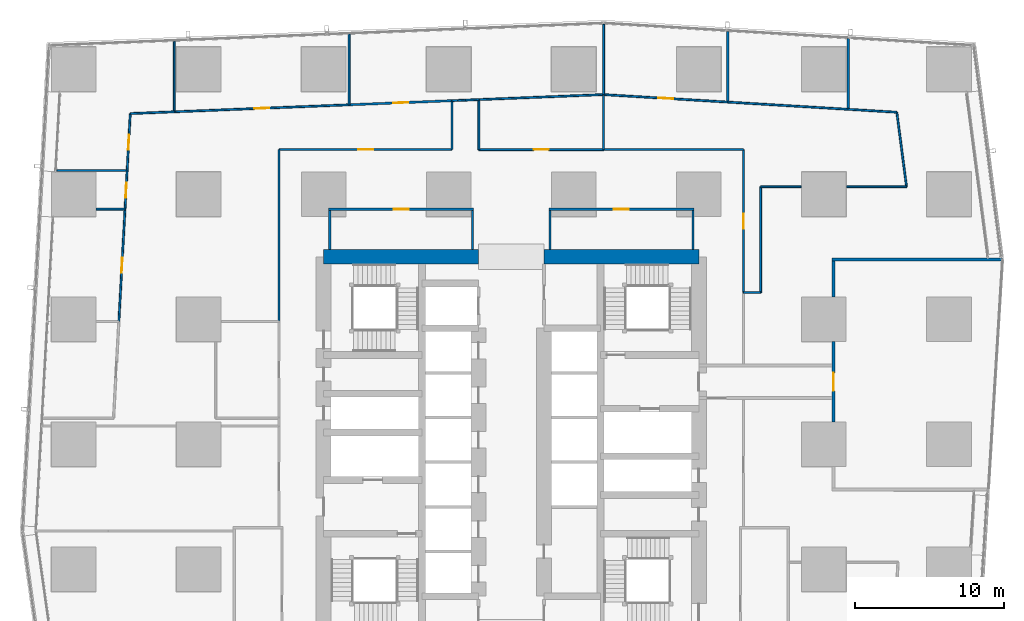
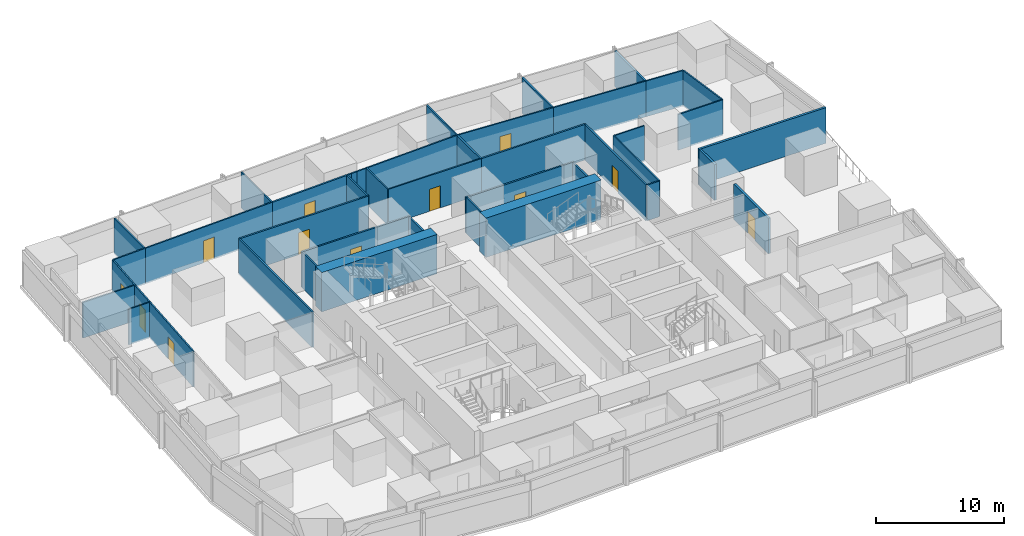
# One storey, part 29 of 38: 44 walls, 12 doors, 12 openings.
"""IFC4 building model written with IfcOpenShell, lengths in metres."""

from ifc_helpers import new_model, si_unit, direction, frame, frame_2d, origin, place, context, subcontext, project, spatial, rectangle, extrude, material, layer, layer_set, type_object, element, fill, save


model = new_model("IFC4")

# Units and contexts
model_context = context("Model", 3, precision=1e-05, world=origin(), true_north=direction((0.0, 1.0)))
body_context = subcontext(model_context, "Body", "Model", "MODEL_VIEW")
ifc_project = project(units=[si_unit("LENGTHUNIT", "METRE"), si_unit("AREAUNIT", "SQUARE_METRE"), si_unit("VOLUMEUNIT", "CUBIC_METRE"), si_unit("PLANEANGLEUNIT", "RADIAN"), si_unit("MASSUNIT", "GRAM", prefix="KILO")], contexts=[model_context])

# Site, building, storey
site_placement = place(None, origin())
site = spatial("IfcSite", under=ifc_project, at=site_placement, CompositionType="ELEMENT")
building_placement = place(site_placement, origin())
building = spatial("IfcBuilding", under=site, at=building_placement, Name="Rekha Terrace Tower", CompositionType="ELEMENT")
storey_placement = place(building_placement, frame((0.0, 0.0, 159.050048828125)))
storey = spatial("IfcBuildingStorey", under=building, at=storey_placement, Name="L40", CompositionType="ELEMENT", Elevation=159.050048828125)

# Walls
ifc_material_1 = material(Name="Concrete M70", Category="concrete")
ifc_layer_1 = layer(ifc_material_1, 1.0)
ifc_layer_set_1 = layer_set([ifc_layer_1], Name="Concrete M70")
wall_type_1 = type_object("IfcWallType", Name="SW2 1000 core outer shear wall", PredefinedType="SHEAR", material=ifc_layer_set_1)
wall_1_placement = place(storey_placement, frame((25.199951171875, 46.199951171875, 0.0), z_axis=(0.0, 0.0, 1.0), x_axis=(1.0, 0.0, 0.0)))
element("IfcWall", 1, at=wall_1_placement, inside=storey, type_object=wall_type_1, Name="Core wall N1 L40", PredefinedType="SHEAR", context=body_context, shape_type="SweptSolid", body=[
    extrude(rectangle(XDim=10.400146484375, YDim=1.0, at=frame_2d((5.2001953125, 0.0))), origin(), (0.0, 0.0, 1.0), 3.75),
])
wall_2_placement = place(storey_placement, frame((40.0, 46.199951171875, 0.0), z_axis=(0.0, 0.0, 1.0), x_axis=(1.0, 0.0, 0.0)))
element("IfcWall", 2, at=wall_2_placement, inside=storey, type_object=wall_type_1, Name="Core wall N2 L40", PredefinedType="SHEAR", context=body_context, shape_type="SweptSolid", body=[
    extrude(rectangle(XDim=10.39990234375, YDim=1.0, at=frame_2d((5.199951171875, 0.0))), origin(), (0.0, 0.0, 1.0), 3.75),
])

# Wall, opening, door
ifc_material_2 = material(Name="Concrete block masonry, 1 hour", Category="masonry")
ifc_layer_2 = layer(ifc_material_2, 0.14990234375)
ifc_layer_set_2 = layer_set([ifc_layer_2], Name="Concrete block masonry, 1 hour")
wall_type_2 = type_object("IfcWallType", Name="WP2 150 tenancy partition", PredefinedType="PARTITIONING", material=ifc_layer_set_2)
wall_3_placement = place(storey_placement, frame((40.324951171875, 49.39990234375, 0.0), z_axis=(0.0, 0.0, 1.0), x_axis=(1.0, 0.0, 0.0)))
wall_3 = element("IfcWall", 3, at=wall_3_placement, inside=storey, type_object=wall_type_2, Name="Women's WC wall L40", PredefinedType="PARTITIONING", context=body_context, shape_type="SweptSolid", body=[
    extrude(rectangle(XDim=9.75, YDim=0.14990234375, at=frame_2d((4.875, 0.0))), origin(), (0.0, 0.0, 1.0), 3.39990234375),
])
opening_1_placement = place(wall_3_placement, frame((4.375, 0.0, 0.0)))
opening_1 = element("IfcOpeningElement", 4, at=opening_1_placement, cuts=wall_3, Name="Opening D3", PredefinedType="OPENING", context=body_context, shape_type="SweptSolid", body=[
    extrude(rectangle(XDim=1.0, YDim=2.10009765625, at=frame_2d((0.5, 1.050048828125))), frame((0.0, 0.0849609375, 0.0), z_axis=(0.0, -1.0, 0.0), x_axis=(1.0, 0.0, 0.0)), (0.0, 0.0, 1.0), 0.169921875),
])
ifc_material_3 = material(Name="Laminated timber fire door", Category="wood")
door_type_1 = type_object("IfcDoorType", Name="D3 1000x2100 WC door", OperationType="SINGLE_SWING_LEFT", PredefinedType="DOOR", material=ifc_material_3)
door_1_placement = place(opening_1_placement, origin())
door_1 = element("IfcDoor", 5, at=door_1_placement, inside=storey, type_object=door_type_1, Name="Door women's wc L40", OperationType="SINGLE_SWING_LEFT", OverallHeight=2.10009765625, OverallWidth=1.0, PredefinedType="DOOR", context=body_context, shape_type="SweptSolid", body=[
    extrude(rectangle(XDim=1.0, YDim=2.10009765625, at=frame_2d((0.5, 1.050048828125))), frame((0.0, 0.02490234375, 0.0), z_axis=(0.0, -1.0, 0.0), x_axis=(1.0, 0.0, 0.0)), (0.0, 0.0, 1.0), 0.050048828125),
])
fill(opening_1, door_1)

# Walls
for number, where, z_axis, x_axis, name in (
    (6, (40.39990234375, 46.699951171875, 0.0), (0.0, 0.0, 1.0), (0.0, 1.0, 0.0), "Women's WC wall L40"),
    (7, (50.0, 46.699951171875, 0.0), (0.0, 0.0, 1.0), (0.0, 1.0, 0.0), "Women's WC wall L40"),
):
    element("IfcWall", number, at=place(storey_placement, frame(where, z_axis=z_axis, x_axis=x_axis)), inside=storey, type_object=wall_type_2, Name=name, PredefinedType="PARTITIONING", context=body_context, shape_type="SweptSolid", body=[
        extrude(rectangle(XDim=2.625, YDim=0.14990234375, at=frame_2d((1.3125, 0.0))), origin(), (0.0, 0.0, 1.0), 3.39990234375),
    ])

# Wall, opening, door
wall_4_placement = place(storey_placement, frame((25.52490234375, 49.39990234375, 0.0), z_axis=(0.0, 0.0, 1.0), x_axis=(1.0, 0.0, 0.0)))
wall_4 = element("IfcWall", 8, at=wall_4_placement, inside=storey, type_object=wall_type_2, Name="Women's WC wall L40", PredefinedType="PARTITIONING", context=body_context, shape_type="SweptSolid", body=[
    extrude(rectangle(XDim=9.75, YDim=0.14990234375, at=frame_2d((4.875, 0.0))), origin(), (0.0, 0.0, 1.0), 3.39990234375),
])
opening_2_placement = place(wall_4_placement, frame((4.375, 0.0, 0.0)))
opening_2 = element("IfcOpeningElement", 9, at=opening_2_placement, cuts=wall_4, Name="Opening D3", PredefinedType="OPENING", context=body_context, shape_type="SweptSolid", body=[
    extrude(rectangle(XDim=1.0, YDim=2.10009765625, at=frame_2d((0.5, 1.050048828125))), frame((0.0, 0.0849609375, 0.0), z_axis=(0.0, -1.0, 0.0), x_axis=(1.0, 0.0, 0.0)), (0.0, 0.0, 1.0), 0.169921875),
])
door_2_placement = place(opening_2_placement, origin())
door_2 = element("IfcDoor", 10, at=door_2_placement, inside=storey, type_object=door_type_1, Name="Door women's wc L40", OperationType="SINGLE_SWING_LEFT", OverallHeight=2.10009765625, OverallWidth=1.0, PredefinedType="DOOR", context=body_context, shape_type="SweptSolid", body=[
    extrude(rectangle(XDim=1.0, YDim=2.10009765625, at=frame_2d((0.5, 1.050048828125))), frame((0.0, 0.02490234375, 0.0), z_axis=(0.0, -1.0, 0.0), x_axis=(1.0, 0.0, 0.0)), (0.0, 0.0, 1.0), 0.050048828125),
])
fill(opening_2, door_2)

# Walls
for number, where, z_axis, x_axis, name in (
    (11, (25.60009765625, 46.699951171875, 0.0), (0.0, 0.0, 1.0), (0.0, 1.0, 0.0), "Women's WC wall L40"),
    (12, (35.199951171875, 46.699951171875, 0.0), (0.0, 0.0, 1.0), (0.0, 1.0, 0.0), "Women's WC wall L40"),
):
    element("IfcWall", number, at=place(storey_placement, frame(where, z_axis=z_axis, x_axis=x_axis)), inside=storey, type_object=wall_type_2, Name=name, PredefinedType="PARTITIONING", context=body_context, shape_type="SweptSolid", body=[
        extrude(rectangle(XDim=2.625, YDim=0.14990234375, at=frame_2d((1.3125, 0.0))), origin(), (0.0, 0.0, 1.0), 3.39990234375),
    ])
wall_5_placement = place(storey_placement, frame((52.34912109375, 56.655029296875, 0.0), z_axis=(0.0, 0.0, 1.0), x_axis=(0.0, 1.0, 0.0)))
element("IfcWall", 13, at=wall_5_placement, inside=storey, type_object=wall_type_2, Name="Partition L40-O1", PredefinedType="PARTITIONING", context=body_context, shape_type="SweptSolid", body=[
    extrude(rectangle(XDim=4.6650390625, YDim=0.14990234375, at=frame_2d((2.33251953125, 0.0))), origin(), (0.0, 0.0, 1.0), 3.39990234375),
])
wall_6_placement = place(storey_placement, frame((60.43408203125, 56.1689453125, 0.0), z_axis=(0.0, 0.0, 1.0), x_axis=(0.0, 1.0, 0.0)))
element("IfcWall", 14, at=wall_6_placement, inside=storey, type_object=wall_type_2, Name="Partition L40-O1", PredefinedType="PARTITIONING", context=body_context, shape_type="SweptSolid", body=[
    extrude(rectangle(XDim=4.695068359375, YDim=0.14990234375, at=frame_2d((2.34765625, 0.0))), origin(), (0.0, 0.0, 1.0), 3.39990234375),
])

# Wall, opening, door
wall_7_placement = place(storey_placement, frame((53.39990234375, 43.801025390625, 0.0), z_axis=(0.0, 0.0, 1.0), x_axis=(0.0, 1.0, 0.0)))
wall_7 = element("IfcWall", 15, at=wall_7_placement, inside=storey, type_object=wall_type_2, Name="Partition L40-O1", PredefinedType="PARTITIONING", context=body_context, shape_type="SweptSolid", body=[
    extrude(rectangle(XDim=9.598876953125, YDim=0.14990234375, at=frame_2d((4.79931640625, 0.0))), origin(), (0.0, 0.0, 1.0), 3.39990234375),
])
opening_3_placement = place(wall_7_placement, frame((4.299072265625, 0.0, 0.0)))
opening_3 = element("IfcOpeningElement", 16, at=opening_3_placement, cuts=wall_7, Name="Opening D9", PredefinedType="OPENING", context=body_context, shape_type="SweptSolid", body=[
    extrude(rectangle(XDim=1.0, YDim=2.10009765625, at=frame_2d((0.5, 1.050048828125))), frame((0.0, 0.0849609375, 0.0), z_axis=(0.0, -1.0, 0.0), x_axis=(1.0, 0.0, 0.0)), (0.0, 0.0, 1.0), 0.169921875),
])
ifc_material_4 = material(Name="Timber fire door", Category="wood")
door_type_2 = type_object("IfcDoorType", Name="D9 1000x2100 office door", OperationType="SINGLE_SWING_LEFT", PredefinedType="DOOR", material=ifc_material_4)
door_3_placement = place(opening_3_placement, origin())
door_3 = element("IfcDoor", 17, at=door_3_placement, inside=storey, type_object=door_type_2, Name="Door open-plan office L40", OperationType="SINGLE_SWING_LEFT", OverallHeight=2.10009765625, OverallWidth=1.0, PredefinedType="DOOR", context=body_context, shape_type="SweptSolid", body=[
    extrude(rectangle(XDim=1.0, YDim=2.10009765625, at=frame_2d((0.5, 1.050048828125))), frame((0.0, 0.02490234375, 0.0), z_axis=(0.0, -1.0, 0.0), x_axis=(1.0, 0.0, 0.0)), (0.0, 0.0, 1.0), 0.050048828125),
])
fill(opening_3, door_3)

# Walls
wall_8_placement = place(storey_placement, frame((53.39990234375, 53.39990234375, 0.0), z_axis=(0.0, 0.0, 1.0), x_axis=(-1.0, 0.0, 0.0)))
element("IfcWall", 18, at=wall_8_placement, inside=storey, type_object=wall_type_2, Name="Partition L40-O1", PredefinedType="PARTITIONING", context=body_context, shape_type="SweptSolid", body=[
    extrude(rectangle(XDim=9.39697265625, YDim=0.14990234375, at=frame_2d((4.698486328125, 0.0))), origin(), (0.0, 0.0, 1.0), 3.39990234375),
])
wall_9_placement = place(storey_placement, frame((44.0029296875, 53.39990234375, 0.0), z_axis=(0.0, 0.0, 1.0), x_axis=(0.0, 1.0, 0.0)))
element("IfcWall", 19, at=wall_9_placement, inside=storey, type_object=wall_type_2, Name="Partition L40-O1", PredefinedType="PARTITIONING", context=body_context, shape_type="SweptSolid", body=[
    extrude(rectangle(XDim=3.630126953125, YDim=0.14990234375, at=frame_2d((1.81494140625, 0.0))), origin(), (0.0, 0.0, 1.0), 3.39990234375),
])

# Wall, opening, door
wall_10_placement = place(storey_placement, frame((26.906982421875, 56.409912109375, 0.0), z_axis=(0.0, 0.0, 1.0), x_axis=(0.999198986238, 0.04001732002, 0.0)))
wall_10 = element("IfcWall", 20, at=wall_10_placement, inside=storey, type_object=wall_type_2, Name="Partition L40-O2", PredefinedType="PARTITIONING", context=body_context, shape_type="SweptSolid", body=[
    extrude(rectangle(XDim=6.924560546875, YDim=0.14990234375, at=frame_2d((3.46240234375, 0.0))), origin(), (0.0, 0.0, 1.0), 3.39990234375),
])
opening_4_placement = place(wall_10_placement, frame((2.9619140625, 0.0, 0.0)))
opening_4 = element("IfcOpeningElement", 21, at=opening_4_placement, cuts=wall_10, Name="Opening D9", PredefinedType="OPENING", context=body_context, shape_type="SweptSolid", body=[
    extrude(rectangle(XDim=1.0, YDim=2.10009765625, at=frame_2d((0.5, 1.050048828125))), frame((0.0, 0.0849609375, 0.0), z_axis=(0.0, -1.0, 0.0), x_axis=(1.0, 0.0, 0.0)), (0.0, 0.0, 1.0), 0.169921875),
])
door_4_placement = place(opening_4_placement, origin())
door_4 = element("IfcDoor", 22, at=door_4_placement, inside=storey, type_object=door_type_2, Name="Door office L40", OperationType="SINGLE_SWING_LEFT", OverallHeight=2.10009765625, OverallWidth=1.0, PredefinedType="DOOR", context=body_context, shape_type="SweptSolid", body=[
    extrude(rectangle(XDim=1.0, YDim=2.10009765625, at=frame_2d((0.5, 1.050048828125))), frame((0.0, 0.02490234375, 0.0), z_axis=(0.0, -1.0, 0.0), x_axis=(1.0, 0.0, 0.0)), (0.0, 0.0, 1.0), 0.050048828125),
])
fill(opening_4, door_4)

# Wall
wall_11_placement = place(storey_placement, frame((33.825927734375, 56.68701171875, 0.0), z_axis=(0.0, 0.0, 1.0), x_axis=(0.0, -1.0, 0.0)))
element("IfcWall", 23, at=wall_11_placement, inside=storey, type_object=wall_type_2, Name="Partition L40-O2", PredefinedType="PARTITIONING", context=body_context, shape_type="SweptSolid", body=[
    extrude(rectangle(XDim=3.287109375, YDim=0.14990234375, at=frame_2d((1.6435546875, 0.0))), origin(), (0.0, 0.0, 1.0), 3.39990234375),
])

# Wall, opening, door
wall_12_placement = place(storey_placement, frame((33.825927734375, 53.39990234375, 0.0), z_axis=(0.0, 0.0, 1.0), x_axis=(-1.0, 0.0, 0.0)))
wall_12 = element("IfcWall", 24, at=wall_12_placement, inside=storey, type_object=wall_type_2, Name="Partition L40-O2", PredefinedType="PARTITIONING", context=body_context, shape_type="SweptSolid", body=[
    extrude(rectangle(XDim=11.6259765625, YDim=0.14990234375, at=frame_2d((5.81298828125, 0.0))), origin(), (0.0, 0.0, 1.0), 3.39990234375),
])
opening_5_placement = place(wall_12_placement, frame((5.31298828125, 0.0, 0.0)))
opening_5 = element("IfcOpeningElement", 25, at=opening_5_placement, cuts=wall_12, Name="Opening D9", PredefinedType="OPENING", context=body_context, shape_type="SweptSolid", body=[
    extrude(rectangle(XDim=1.0, YDim=2.10009765625, at=frame_2d((0.5, 1.050048828125))), frame((0.0, 0.0849609375, 0.0), z_axis=(0.0, -1.0, 0.0), x_axis=(1.0, 0.0, 0.0)), (0.0, 0.0, 1.0), 0.169921875),
])
door_5_placement = place(opening_5_placement, origin())
door_5 = element("IfcDoor", 26, at=door_5_placement, inside=storey, type_object=door_type_2, Name="Door open-plan office L40", OperationType="SINGLE_SWING_LEFT", OverallHeight=2.10009765625, OverallWidth=1.0, PredefinedType="DOOR", context=body_context, shape_type="SweptSolid", body=[
    extrude(rectangle(XDim=1.0, YDim=2.10009765625, at=frame_2d((0.5, 1.050048828125))), frame((0.0, 0.02490234375, 0.0), z_axis=(0.0, -1.0, 0.0), x_axis=(1.0, 0.0, 0.0)), (0.0, 0.0, 1.0), 0.050048828125),
])
fill(opening_5, door_5)

# Walls
wall_13_placement = place(storey_placement, frame((22.199951171875, 53.39990234375, 0.0), z_axis=(0.0, 0.0, 1.0), x_axis=(0.0, -1.0, 0.0)))
element("IfcWall", 27, at=wall_13_placement, inside=storey, type_object=wall_type_2, Name="Partition L40-O2", PredefinedType="PARTITIONING", context=body_context, shape_type="SweptSolid", body=[
    extrude(rectangle(XDim=11.544921875, YDim=0.14990234375, at=frame_2d((5.7724609375, 0.0))), origin(), (0.0, 0.0, 1.0), 3.39990234375),
])
ifc_material_5 = material(Name="Two layers of fire-rated gypsum board each side on steel studs, acoustic quilt, 1 hour", Category="steel")
ifc_layer_3 = layer(ifc_material_5, 0.125)
ifc_layer_set_3 = layer_set([ifc_layer_3], Name="Two layers of fire-rated gypsum board each side on steel studs, acoustic quilt, 1 hour")
wall_type_3 = type_object("IfcWallType", Name="WP3 125 office partition", PredefinedType="PARTITIONING", material=ifc_layer_set_3)
wall_14_placement = place(storey_placement, frame((53.39990234375, 43.801025390625, 0.0), z_axis=(0.0, 0.0, 1.0), x_axis=(1.0, 0.0, 0.0)))
element("IfcWall", 28, at=wall_14_placement, inside=storey, type_object=wall_type_3, Name="Partition L40-02", PredefinedType="PARTITIONING", context=body_context, shape_type="SweptSolid", body=[
    extrude(rectangle(XDim=1.149169921875, YDim=0.125, at=frame_2d((0.57470703125, 0.0))), origin(), (0.0, 0.0, 1.0), 3.39990234375),
])
wall_15_placement = place(storey_placement, frame((54.549072265625, 43.801025390625, 0.0), z_axis=(0.0, 0.0, 1.0), x_axis=(0.0, 1.0, 0.0)))
element("IfcWall", 29, at=wall_15_placement, inside=storey, type_object=wall_type_3, Name="Partition L40-02", PredefinedType="PARTITIONING", context=body_context, shape_type="SweptSolid", body=[
    extrude(rectangle(XDim=7.10302734375, YDim=0.125, at=frame_2d((3.551513671875, 0.0))), origin(), (0.0, 0.0, 1.0), 3.39990234375),
])
wall_16_placement = place(storey_placement, frame((54.549072265625, 50.904052734375, 0.0), z_axis=(0.0, 0.0, 1.0), x_axis=(1.0, 0.0, 0.0)))
element("IfcWall", 30, at=wall_16_placement, inside=storey, type_object=wall_type_3, Name="Partition L40-02", PredefinedType="PARTITIONING", context=body_context, shape_type="SweptSolid", body=[
    extrude(rectangle(XDim=2.73095703125, YDim=0.125, at=frame_2d((1.365478515625, 0.0))), origin(), (0.0, 0.0, 1.0), 3.39990234375),
])
wall_17_placement = place(storey_placement, frame((60.320068359375, 50.904052734375, 0.0), z_axis=(0.0, 0.0, 1.0), x_axis=(1.0, 0.0, 0.0)))
element("IfcWall", 31, at=wall_17_placement, inside=storey, type_object=wall_type_3, Name="Partition L40-02", PredefinedType="PARTITIONING", context=body_context, shape_type="SweptSolid", body=[
    extrude(rectangle(XDim=4.032958984375, YDim=0.125, at=frame_2d((2.0166015625, 0.0))), origin(), (0.0, 0.0, 1.0), 3.39990234375),
])
wall_18_placement = place(storey_placement, frame((64.35302734375, 50.904052734375, 0.0), z_axis=(0.0, 0.0, 1.0), x_axis=(-0.129175847003, 0.99162170234, 0.0)))
element("IfcWall", 32, at=wall_18_placement, inside=storey, type_object=wall_type_3, Name="Partition L40-02", PredefinedType="PARTITIONING", context=body_context, shape_type="SweptSolid", body=[
    extrude(rectangle(XDim=5.048095703125, YDim=0.125, at=frame_2d((2.52392578125, 0.0))), origin(), (0.0, 0.0, 1.0), 3.39990234375),
])
wall_19_placement = place(storey_placement, frame((63.700927734375, 55.909912109375, 0.0), z_axis=(0.0, 0.0, 1.0), x_axis=(-0.998203149813, 0.059920544913, 0.0)))
element("IfcWall", 33, at=wall_19_placement, inside=storey, type_object=wall_type_3, Name="Partition L40-02", PredefinedType="PARTITIONING", context=body_context, shape_type="SweptSolid", body=[
    extrude(rectangle(XDim=3.271728515625, YDim=0.125, at=frame_2d((1.6357421875, 0.0))), origin(), (0.0, 0.0, 1.0), 3.39990234375),
])
wall_20_placement = place(storey_placement, frame((60.43505859375, 56.10595703125, 0.0), z_axis=(0.0, 0.0, 1.0), x_axis=(-0.998197557769, 0.060013628987, 0.0)))
element("IfcWall", 34, at=wall_20_placement, inside=storey, type_object=wall_type_3, Name="Partition L40-02", PredefinedType="PARTITIONING", context=body_context, shape_type="SweptSolid", body=[
    extrude(rectangle(XDim=8.099609375, YDim=0.125, at=frame_2d((4.0498046875, 0.0))), origin(), (0.0, 0.0, 1.0), 3.39990234375),
])

# Wall, opening, door
wall_21_placement = place(storey_placement, frame((52.35009765625, 56.592041015625, 0.0), z_axis=(0.0, 0.0, 1.0), x_axis=(-0.998203378807, 0.059916730045, 0.0)))
wall_21 = element("IfcWall", 35, at=wall_21_placement, inside=storey, type_object=wall_type_3, Name="Partition L40-02", PredefinedType="PARTITIONING", context=body_context, shape_type="SweptSolid", body=[
    extrude(rectangle(XDim=8.361328125, YDim=0.125, at=frame_2d((4.1806640625, 0.0))), origin(), (0.0, 0.0, 1.0), 3.39990234375),
])
opening_6_placement = place(wall_21_placement, frame((3.680908203125, 0.0, 0.0)))
opening_6 = element("IfcOpeningElement", 36, at=opening_6_placement, cuts=wall_21, Name="Opening D9", PredefinedType="OPENING", context=body_context, shape_type="SweptSolid", body=[
    extrude(rectangle(XDim=1.0, YDim=2.10009765625, at=frame_2d((0.5, 1.050048828125))), frame((0.0, 0.072509765625, 0.0), z_axis=(0.0, -1.0, 0.0), x_axis=(1.0, 0.0, 0.0)), (0.0, 0.0, 1.0), 0.14501953125),
])
door_6_placement = place(opening_6_placement, origin())
door_6 = element("IfcDoor", 37, at=door_6_placement, inside=storey, type_object=door_type_2, Name="Door director's office L40", OperationType="SINGLE_SWING_LEFT", OverallHeight=2.10009765625, OverallWidth=1.0, PredefinedType="DOOR", context=body_context, shape_type="SweptSolid", body=[
    extrude(rectangle(XDim=1.0, YDim=2.10009765625, at=frame_2d((0.5, 1.050048828125))), frame((0.0, 0.02490234375, 0.0), z_axis=(0.0, -1.0, 0.0), x_axis=(1.0, 0.0, 0.0)), (0.0, 0.0, 1.0), 0.050048828125),
])
fill(opening_6, door_6)

# Wall
wall_22_placement = place(storey_placement, frame((44.00390625, 57.093017578125, 0.0), z_axis=(0.0, 0.0, 1.0), x_axis=(0.0, 1.0, 0.0)))
element("IfcWall", 38, at=wall_22_placement, inside=storey, type_object=wall_type_3, Name="Partition L40-02", PredefinedType="PARTITIONING", context=body_context, shape_type="SweptSolid", body=[
    extrude(rectangle(XDim=4.72607421875, YDim=0.125, at=frame_2d((2.363037109375, 0.0))), origin(), (0.0, 0.0, 1.0), 3.39990234375),
])

# Wall, opening, door
wall_23_placement = place(storey_placement, frame((26.906005859375, 56.409912109375, 0.0), z_axis=(0.0, 0.0, 1.0), x_axis=(-0.999196371501, -0.04008255455, 0.0)))
wall_23 = element("IfcWall", 39, at=wall_23_placement, inside=storey, type_object=wall_type_3, Name="Partition L40-03", PredefinedType="PARTITIONING", context=body_context, shape_type="SweptSolid", body=[
    extrude(rectangle(XDim=11.74951171875, YDim=0.125, at=frame_2d((5.874755859375, 0.0))), origin(), (0.0, 0.0, 1.0), 3.39990234375),
])
opening_7_placement = place(wall_23_placement, frame((5.375, 0.0, 0.0)))
opening_7 = element("IfcOpeningElement", 40, at=opening_7_placement, cuts=wall_23, Name="Opening D9", PredefinedType="OPENING", context=body_context, shape_type="SweptSolid", body=[
    extrude(rectangle(XDim=1.0, YDim=2.10009765625, at=frame_2d((0.5, 1.050048828125))), frame((0.0, 0.072509765625, 0.0), z_axis=(0.0, -1.0, 0.0), x_axis=(1.0, 0.0, 0.0)), (0.0, 0.0, 1.0), 0.14501953125),
])
door_7_placement = place(opening_7_placement, origin())
door_7 = element("IfcDoor", 41, at=door_7_placement, inside=storey, type_object=door_type_2, Name="Door office L40", OperationType="SINGLE_SWING_LEFT", OverallHeight=2.10009765625, OverallWidth=1.0, PredefinedType="DOOR", context=body_context, shape_type="SweptSolid", body=[
    extrude(rectangle(XDim=1.0, YDim=2.10009765625, at=frame_2d((0.5, 1.050048828125))), frame((0.0, 0.02490234375, 0.0), z_axis=(0.0, -1.0, 0.0), x_axis=(1.0, 0.0, 0.0)), (0.0, 0.0, 1.0), 0.050048828125),
])
fill(opening_7, door_7)

# Walls
wall_24_placement = place(storey_placement, frame((15.166015625, 55.93896484375, 0.0), z_axis=(0.0, 0.0, 1.0), x_axis=(0.0, 1.0, 0.0)))
element("IfcWall", 42, at=wall_24_placement, inside=storey, type_object=wall_type_3, Name="Partition L40-03", PredefinedType="PARTITIONING", context=body_context, shape_type="SweptSolid", body=[
    extrude(rectangle(XDim=4.72412109375, YDim=0.125, at=frame_2d((2.362060546875, 0.0))), origin(), (0.0, 0.0, 1.0), 3.39990234375),
])
wall_25_placement = place(storey_placement, frame((26.906005859375, 61.1630859375, 0.0), z_axis=(0.0, 0.0, 1.0), x_axis=(0.0, -1.0, 0.0)))
element("IfcWall", 43, at=wall_25_placement, inside=storey, type_object=wall_type_3, Name="Partition L40-03", PredefinedType="PARTITIONING", context=body_context, shape_type="SweptSolid", body=[
    extrude(rectangle(XDim=4.753173828125, YDim=0.125, at=frame_2d((2.37646484375, 0.0))), origin(), (0.0, 0.0, 1.0), 3.39990234375),
])
wall_26_placement = place(storey_placement, frame((15.1650390625, 55.93896484375, 0.0), z_axis=(0.0, 0.0, 1.0), x_axis=(-0.999206350986, -0.039833003262, 0.0)))
element("IfcWall", 44, at=wall_26_placement, inside=storey, type_object=wall_type_3, Name="Partition L40-04", PredefinedType="PARTITIONING", context=body_context, shape_type="SweptSolid", body=[
    extrude(rectangle(XDim=2.96044921875, YDim=0.125, at=frame_2d((1.480224609375, 0.0))), origin(), (0.0, 0.0, 1.0), 3.39990234375),
])

# Wall, opening, door
wall_27_placement = place(storey_placement, frame((12.20703125, 55.821044921875, 0.0), z_axis=(0.0, 0.0, 1.0), x_axis=(-0.054774500105, -0.998498750194, 0.0)))
wall_27 = element("IfcWall", 45, at=wall_27_placement, inside=storey, type_object=wall_type_3, Name="Partition L40-04", PredefinedType="PARTITIONING", context=body_context, shape_type="SweptSolid", body=[
    extrude(rectangle(XDim=3.868896484375, YDim=0.125, at=frame_2d((1.9345703125, 0.0))), origin(), (0.0, 0.0, 1.0), 3.39990234375),
])
opening_8_placement = place(wall_27_placement, frame((1.43408203125, 0.0, 0.0)))
opening_8 = element("IfcOpeningElement", 46, at=opening_8_placement, cuts=wall_27, Name="Opening D9", PredefinedType="OPENING", context=body_context, shape_type="SweptSolid", body=[
    extrude(rectangle(XDim=1.0, YDim=2.10009765625, at=frame_2d((0.5, 1.050048828125))), frame((0.0, 0.072509765625, 0.0), z_axis=(0.0, -1.0, 0.0), x_axis=(1.0, 0.0, 0.0)), (0.0, 0.0, 1.0), 0.14501953125),
])
door_8_placement = place(opening_8_placement, origin())
door_8 = element("IfcDoor", 47, at=door_8_placement, inside=storey, type_object=door_type_2, Name="Door director's office L40", OperationType="SINGLE_SWING_LEFT", OverallHeight=2.10009765625, OverallWidth=1.0, PredefinedType="DOOR", context=body_context, shape_type="SweptSolid", body=[
    extrude(rectangle(XDim=1.0, YDim=2.10009765625, at=frame_2d((0.5, 1.050048828125))), frame((0.0, 0.02490234375, 0.0), z_axis=(0.0, -1.0, 0.0), x_axis=(1.0, 0.0, 0.0)), (0.0, 0.0, 1.0), 0.050048828125),
])
fill(opening_8, door_8)

# Wall
wall_28_placement = place(storey_placement, frame((11.93408203125, 51.991943359375, 0.0), z_axis=(0.0, 0.0, 1.0), x_axis=(-1.0, 0.0, 0.0)))
element("IfcWall", 48, at=wall_28_placement, inside=storey, type_object=wall_type_3, Name="Partition L40-04", PredefinedType="PARTITIONING", context=body_context, shape_type="SweptSolid", body=[
    extrude(rectangle(XDim=4.6640625, YDim=0.125, at=frame_2d((2.33203125, 0.0))), origin(), (0.0, 0.0, 1.0), 3.39990234375),
])

# Wall, opening, door
wall_29_placement = place(storey_placement, frame((11.9951171875, 51.95703125, 0.0), z_axis=(0.0, 0.0, 1.0), x_axis=(-0.054699431641, -0.998502865383, 0.0)))
wall_29 = element("IfcWall", 49, at=wall_29_placement, inside=storey, type_object=wall_type_3, Name="Partition L40-05", PredefinedType="PARTITIONING", context=body_context, shape_type="SweptSolid", body=[
    extrude(rectangle(XDim=2.56201171875, YDim=0.125, at=frame_2d((1.281005859375, 0.0))), origin(), (0.0, 0.0, 1.0), 3.39990234375),
])
opening_9_placement = place(wall_29_placement, frame((0.781005859375, 0.0, 0.0)))
opening_9 = element("IfcOpeningElement", 50, at=opening_9_placement, cuts=wall_29, Name="Opening D9", PredefinedType="OPENING", context=body_context, shape_type="SweptSolid", body=[
    extrude(rectangle(XDim=1.0, YDim=2.10009765625, at=frame_2d((0.5, 1.050048828125))), frame((0.0, 0.072509765625, 0.0), z_axis=(0.0, -1.0, 0.0), x_axis=(1.0, 0.0, 0.0)), (0.0, 0.0, 1.0), 0.14501953125),
])
door_9_placement = place(opening_9_placement, origin())
door_9 = element("IfcDoor", 51, at=door_9_placement, inside=storey, type_object=door_type_2, Name="Door meeting room L40", OperationType="SINGLE_SWING_LEFT", OverallHeight=2.10009765625, OverallWidth=1.0, PredefinedType="DOOR", context=body_context, shape_type="SweptSolid", body=[
    extrude(rectangle(XDim=1.0, YDim=2.10009765625, at=frame_2d((0.5, 1.050048828125))), frame((0.0, 0.02490234375, 0.0), z_axis=(0.0, -1.0, 0.0), x_axis=(1.0, 0.0, 0.0)), (0.0, 0.0, 1.0), 0.050048828125),
])
fill(opening_9, door_9)

# Wall
wall_30_placement = place(storey_placement, frame((11.85498046875, 49.39892578125, 0.0), z_axis=(0.0, 0.0, 1.0), x_axis=(-1.0, 0.0, 0.0)))
element("IfcWall", 52, at=wall_30_placement, inside=storey, type_object=wall_type_3, Name="Partition L40-05", PredefinedType="PARTITIONING", context=body_context, shape_type="SweptSolid", body=[
    extrude(rectangle(XDim=1.93505859375, YDim=0.125, at=frame_2d((0.967529296875, 0.0))), origin(), (0.0, 0.0, 1.0), 3.39990234375),
])

# Wall, opening, door
wall_31_placement = place(storey_placement, frame((11.85498046875, 49.39794921875, 0.0), z_axis=(0.0, 0.0, 1.0), x_axis=(-0.054811317123, -0.998496729847, 0.0)))
wall_31 = element("IfcWall", 53, at=wall_31_placement, inside=storey, type_object=wall_type_3, Name="Partition L40-06", PredefinedType="PARTITIONING", context=body_context, shape_type="SweptSolid", body=[
    extrude(rectangle(XDim=7.554443359375, YDim=0.125, at=frame_2d((3.77734375, 0.0))), origin(), (0.0, 0.0, 1.0), 3.39990234375),
])
opening_10_placement = place(wall_31_placement, frame((3.277099609375, 0.0, 0.0)))
opening_10 = element("IfcOpeningElement", 54, at=opening_10_placement, cuts=wall_31, Name="Opening D9", PredefinedType="OPENING", context=body_context, shape_type="SweptSolid", body=[
    extrude(rectangle(XDim=1.0, YDim=2.10009765625, at=frame_2d((0.5, 1.050048828125))), frame((0.0, 0.072509765625, 0.0), z_axis=(0.0, -1.0, 0.0), x_axis=(1.0, 0.0, 0.0)), (0.0, 0.0, 1.0), 0.14501953125),
])
door_10_placement = place(opening_10_placement, origin())
door_10 = element("IfcDoor", 55, at=door_10_placement, inside=storey, type_object=door_type_2, Name="Door office L40", OperationType="SINGLE_SWING_LEFT", OverallHeight=2.10009765625, OverallWidth=1.0, PredefinedType="DOOR", context=body_context, shape_type="SweptSolid", body=[
    extrude(rectangle(XDim=1.0, YDim=2.10009765625, at=frame_2d((0.5, 1.050048828125))), frame((0.0, 0.02490234375, 0.0), z_axis=(0.0, -1.0, 0.0), x_axis=(1.0, 0.0, 0.0)), (0.0, 0.0, 1.0), 0.050048828125),
])
fill(opening_10, door_10)

# Walls
wall_32_placement = place(storey_placement, frame((34.2041015625, 56.701904296875, 0.0), z_axis=(0.0, 0.0, 1.0), x_axis=(-0.999225498847, -0.039349745274, 0.0)))
element("IfcWall", 56, at=wall_32_placement, inside=storey, type_object=wall_type_3, Name="Partition L40-18", PredefinedType="PARTITIONING", context=body_context, shape_type="SweptSolid", body=[
    extrude(rectangle(XDim=0.37841796875, YDim=0.125, at=frame_2d((0.189208984375, 0.0))), origin(), (0.0, 0.0, 1.0), 3.39990234375),
])
wall_33_placement = place(storey_placement, frame((43.952880859375, 57.093017578125, 0.0), z_axis=(0.0, 0.0, 1.0), x_axis=(-0.999196600525, -0.040076844915, 0.0)))
element("IfcWall", 57, at=wall_33_placement, inside=storey, type_object=wall_type_3, Name="Partition L40-18", PredefinedType="PARTITIONING", context=body_context, shape_type="SweptSolid", body=[
    extrude(rectangle(XDim=8.33349609375, YDim=0.125, at=frame_2d((4.166748046875, 0.0))), origin(), (0.0, 0.0, 1.0), 3.39990234375),
])
wall_34_placement = place(storey_placement, frame((35.6259765625, 56.759033203125, 0.0), z_axis=(0.0, 0.0, 1.0), x_axis=(-0.999194884772, -0.04011959928, 0.0)))
element("IfcWall", 58, at=wall_34_placement, inside=storey, type_object=wall_type_3, Name="Partition L40-18", PredefinedType="PARTITIONING", context=body_context, shape_type="SweptSolid", body=[
    extrude(rectangle(XDim=0.900634765625, YDim=0.125, at=frame_2d((0.4501953125, 0.0))), origin(), (0.0, 0.0, 1.0), 3.39990234375),
])
wall_35_placement = place(storey_placement, frame((34.72607421875, 56.722900390625, 0.0), z_axis=(0.0, 0.0, 1.0), x_axis=(-0.999191974856, -0.040192006472, 0.0)))
element("IfcWall", 59, at=wall_35_placement, inside=storey, type_object=wall_type_3, Name="Partition L40-18", PredefinedType="PARTITIONING", context=body_context, shape_type="SweptSolid", body=[
    extrude(rectangle(XDim=0.5224609375, YDim=0.125, at=frame_2d((0.26123046875, 0.0))), origin(), (0.0, 0.0, 1.0), 3.39990234375),
])

# Wall, opening, door
wall_36_placement = place(storey_placement, frame((44.0029296875, 53.39990234375, 0.0), z_axis=(0.0, 0.0, 1.0), x_axis=(-1.0, 0.0, 0.0)))
wall_36 = element("IfcWall", 60, at=wall_36_placement, inside=storey, type_object=wall_type_3, Name="Partition L40-19", PredefinedType="PARTITIONING", context=body_context, shape_type="SweptSolid", body=[
    extrude(rectangle(XDim=8.376953125, YDim=0.125, at=frame_2d((4.1884765625, 0.0))), origin(), (0.0, 0.0, 1.0), 3.39990234375),
])
opening_11_placement = place(wall_36_placement, frame((3.68896484375, 0.0, 0.0)))
opening_11 = element("IfcOpeningElement", 61, at=opening_11_placement, cuts=wall_36, Name="Opening D9", PredefinedType="OPENING", context=body_context, shape_type="SweptSolid", body=[
    extrude(rectangle(XDim=1.0, YDim=2.10009765625, at=frame_2d((0.5, 1.050048828125))), frame((0.0, 0.072509765625, 0.0), z_axis=(0.0, -1.0, 0.0), x_axis=(1.0, 0.0, 0.0)), (0.0, 0.0, 1.0), 0.14501953125),
])
door_11_placement = place(opening_11_placement, origin())
door_11 = element("IfcDoor", 62, at=door_11_placement, inside=storey, type_object=door_type_2, Name="Door pantry L40", OperationType="SINGLE_SWING_LEFT", OverallHeight=2.10009765625, OverallWidth=1.0, PredefinedType="DOOR", context=body_context, shape_type="SweptSolid", body=[
    extrude(rectangle(XDim=1.0, YDim=2.10009765625, at=frame_2d((0.5, 1.050048828125))), frame((0.0, 0.02490234375, 0.0), z_axis=(0.0, -1.0, 0.0), x_axis=(1.0, 0.0, 0.0)), (0.0, 0.0, 1.0), 0.050048828125),
])
fill(opening_11, door_11)

# Wall
wall_37_placement = place(storey_placement, frame((35.6259765625, 53.39990234375, 0.0), z_axis=(0.0, 0.0, 1.0), x_axis=(0.0, 1.0, 0.0)))
element("IfcWall", 63, at=wall_37_placement, inside=storey, type_object=wall_type_3, Name="Partition L40-19", PredefinedType="PARTITIONING", context=body_context, shape_type="SweptSolid", body=[
    extrude(rectangle(XDim=3.359130859375, YDim=0.125, at=frame_2d((1.6796875, 0.0))), origin(), (0.0, 0.0, 1.0), 3.39990234375),
])

# Wall, opening, door
ifc_material_6 = material(Name="Solid concrete block masonry, 2 hour", Category="masonry")
ifc_layer_4 = layer(ifc_material_6, 0.199951171875)
ifc_layer_set_4 = layer_set([ifc_layer_4], Name="Solid concrete block masonry, 2 hour")
wall_type_4 = type_object("IfcWallType", Name="WS1 200 stair and shaft enclosure", PredefinedType="PARTITIONING", material=ifc_layer_set_4)
wall_38_placement = place(storey_placement, frame((59.449951171875, 35.10009765625, 0.0), z_axis=(0.0, 0.0, 1.0), x_axis=(0.0, 1.0, 0.0)))
wall_38 = element("IfcWall", 64, at=wall_38_placement, inside=storey, type_object=wall_type_4, Name="Refuge area inner wall L40", PredefinedType="PARTITIONING", context=body_context, shape_type="SweptSolid", body=[
    extrude(rectangle(XDim=5.39990234375, YDim=0.199951171875, at=frame_2d((2.699951171875, 0.0))), origin(), (0.0, 0.0, 1.0), 3.39990234375),
])
opening_12_placement = place(wall_38_placement, frame((2.10009765625, 0.0, 0.0)))
opening_12 = element("IfcOpeningElement", 65, at=opening_12_placement, cuts=wall_38, Name="Opening D2", PredefinedType="OPENING", context=body_context, shape_type="SweptSolid", body=[
    extrude(rectangle(XDim=1.199951171875, YDim=2.10009765625, at=frame_2d((0.60009765625, 1.050048828125))), frame((0.0, 0.10986328125, 0.0), z_axis=(0.0, -1.0, 0.0), x_axis=(1.0, 0.0, 0.0)), (0.0, 0.0, 1.0), 0.219970703125),
])
ifc_material_7 = material(Name="Steel fire door", Category="steel")
door_type_3 = type_object("IfcDoorType", Name="D2 1200x2100 firefighting lobby door", OperationType="SINGLE_SWING_LEFT", PredefinedType="DOOR", material=ifc_material_7)
door_12_placement = place(opening_12_placement, origin())
door_12 = element("IfcDoor", 66, at=door_12_placement, inside=storey, type_object=door_type_3, Name="Refuge area door L40", OperationType="SINGLE_SWING_LEFT", OverallHeight=2.10009765625, OverallWidth=1.199951171875, PredefinedType="DOOR", context=body_context, shape_type="SweptSolid", body=[
    extrude(rectangle(XDim=1.199951171875, YDim=2.10009765625, at=frame_2d((0.60009765625, 1.050048828125))), frame((0.0, 0.02490234375, 0.0), z_axis=(0.0, -1.0, 0.0), x_axis=(1.0, 0.0, 0.0)), (0.0, 0.0, 1.0), 0.050048828125),
])
fill(opening_12, door_12)

# Walls
wall_39_placement = place(storey_placement, frame((59.449951171875, 43.5, 0.0), z_axis=(0.0, 0.0, 1.0), x_axis=(0.0, 1.0, 0.0)))
element("IfcWall", 67, at=wall_39_placement, inside=storey, type_object=wall_type_4, Name="Refuge area inner wall L40", PredefinedType="PARTITIONING", context=body_context, shape_type="SweptSolid", body=[
    extrude(rectangle(XDim=2.403076171875, YDim=0.199951171875, at=frame_2d((1.20166015625, 0.0))), origin(), (0.0, 0.0, 1.0), 3.39990234375),
])
wall_40_placement = place(storey_placement, frame((59.35009765625, 46.0029296875, 0.0), z_axis=(0.0, 0.0, 1.0), x_axis=(1.0, 0.0, 0.0)))
element("IfcWall", 68, at=wall_40_placement, inside=storey, type_object=wall_type_4, Name="Refuge area north wall L40", PredefinedType="PARTITIONING", context=body_context, shape_type="SweptSolid", body=[
    extrude(rectangle(XDim=11.449951171875, YDim=0.199951171875, at=frame_2d((5.72509765625, 0.0))), origin(), (0.0, 0.0, 1.0), 3.39990234375),
])

save(model, "model.ifc")
